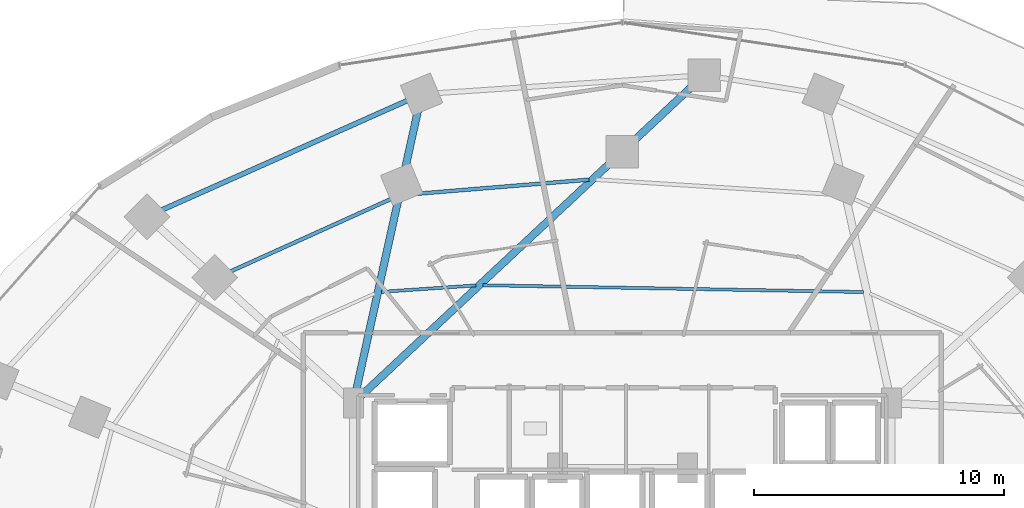
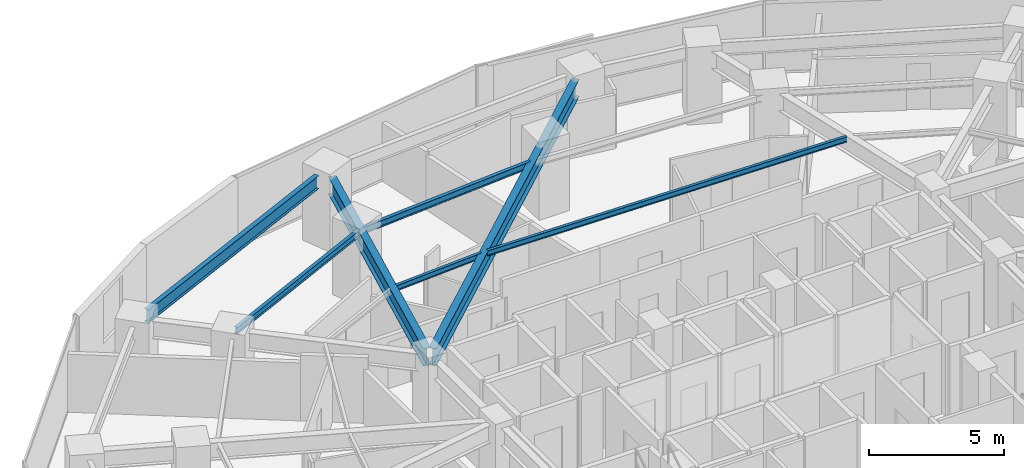
# One storey, part 17 of 30: 7 beams.
"""IFC4 building model written with IfcOpenShell, lengths in metres."""

from ifc_helpers import new_model, si_unit, direction, frame, origin, origin_2d, place, context, subcontext, project, spatial, i_section, extrude, material, material_profile, profile_set, type_object, element, save


model = new_model("IFC4")

# Units and contexts
model_context = context("Model", 3, precision=1e-05, world=origin(), true_north=direction((0.0, 1.0)))
body_context = subcontext(model_context, "Body", "Model", "MODEL_VIEW")
ifc_project = project(units=[si_unit("LENGTHUNIT", "METRE"), si_unit("AREAUNIT", "SQUARE_METRE"), si_unit("VOLUMEUNIT", "CUBIC_METRE"), si_unit("PLANEANGLEUNIT", "RADIAN"), si_unit("MASSUNIT", "GRAM", prefix="KILO")], contexts=[model_context])

# Site, building, storey
site_placement = place(None, origin())
site = spatial("IfcSite", under=ifc_project, at=site_placement, CompositionType="ELEMENT")
building_placement = place(site_placement, origin())
building = spatial("IfcBuilding", under=site, at=building_placement, Name="Vorneva Point Tower", CompositionType="ELEMENT")
storey_placement = place(building_placement, frame((0.0, 0.0, 41.5)))
storey = spatial("IfcBuildingStorey", under=building, at=storey_placement, Name="L10", CompositionType="ELEMENT", Elevation=41.5)

# Beams
ifc_material = material(Name="Steel S355", Category="steel")
ifc_material_profile_1 = material_profile(ifc_material, i_section(OverallWidth=0.300048828125, OverallDepth=0.7880859375, WebThickness=0.014404296875, FlangeThickness=0.02197265625, at=origin_2d()), Name="80Sh1")
ifc_profile_set_1 = profile_set([ifc_material_profile_1], Name="Steel S355")
beam_type_1 = type_object("IfcBeamType", Name="BM-GRD-80Sh1", PredefinedType="USERDEFINED", material=ifc_profile_set_1)
beam_1_placement = place(storey_placement, frame((40.799072265625, 45.81689453125, 2.845947265625), z_axis=(-0.730486513498, -0.682927121732, 0.0), x_axis=(0.682927121732, -0.730486513498, 0.0)))
element("IfcBeam", 1, at=beam_1_placement, inside=storey, type_object=beam_type_1, Name="L10 Radial Primary Girder 05", ObjectType="GIRDER", PredefinedType="USERDEFINED", context=body_context, shape_type="SweptSolid", body=[
    extrude(i_section(OverallWidth=0.300048828125, OverallDepth=0.7880859375, WebThickness=0.014404296875, FlangeThickness=0.02197265625, at=origin_2d()), origin(), (0.0, 0.0, 1.0), 18.2080078125),
])
beam_2_placement = place(storey_placement, frame((29.836181640625, 44.86865234375, 2.845947265625), z_axis=(-0.215504784711, -0.976502784311, 0.0), x_axis=(0.976502784311, -0.215504784711, 0.0)))
element("IfcBeam", 2, at=beam_2_placement, inside=storey, type_object=beam_type_1, Name="L10 Radial Primary Girder 06", ObjectType="GIRDER", PredefinedType="USERDEFINED", context=body_context, shape_type="SweptSolid", body=[
    extrude(i_section(OverallWidth=0.300048828125, OverallDepth=0.7880859375, WebThickness=0.014404296875, FlangeThickness=0.02197265625, at=origin_2d()), origin(), (0.0, 0.0, 1.0), 11.66064453125),
])
ifc_material_profile_2 = material_profile(ifc_material, i_section(OverallWidth=0.1240234375, OverallDepth=0.248046875, WebThickness=0.0048828125, FlangeThickness=0.008056640625, at=origin_2d()), Name="25B1")
ifc_profile_set_2 = profile_set([ifc_material_profile_2], Name="Steel S355")
beam_type_2 = type_object("IfcBeamType", Name="BM-JST-25B1", PredefinedType="JOIST", material=ifc_profile_set_2)
beam_3_placement = place(storey_placement, frame((47.634033203125, 37.58349609375, 3.115966796875), z_axis=(-0.9998392972, 0.017927068204, 0.0), x_axis=(-0.017927068204, -0.9998392972, 0.0)))
element("IfcBeam", 3, at=beam_3_placement, inside=storey, type_object=beam_type_2, Name="L10 Secondary Floor Beam 2.04", PredefinedType="JOIST", context=body_context, shape_type="SweptSolid", body=[
    extrude(i_section(OverallWidth=0.1240234375, OverallDepth=0.248046875, WebThickness=0.0048828125, FlangeThickness=0.008056640625, at=origin_2d()), origin(), (0.0, 0.0, 1.0), 15.2119140625),
])
beam_4_placement = place(storey_placement, frame((32.14892578125, 37.84912109375, 3.115966796875), z_axis=(-0.997672955363, -0.068181186095, 0.0), x_axis=(0.068181186095, -0.997672955363, 0.0)))
element("IfcBeam", 4, at=beam_4_placement, inside=storey, type_object=beam_type_2, Name="L10 Secondary Floor Beam 2.05", PredefinedType="JOIST", context=body_context, shape_type="SweptSolid", body=[
    extrude(i_section(OverallWidth=0.1240234375, OverallDepth=0.248046875, WebThickness=0.0048828125, FlangeThickness=0.008056640625, at=origin_2d()), origin(), (0.0, 0.0, 1.0), 3.7919921875),
])
ifc_material_profile_3 = material_profile(ifc_material, i_section(OverallWidth=0.14892578125, OverallDepth=0.298095703125, WebThickness=0.005615234375, FlangeThickness=0.008056640625, at=origin_2d()), Name="30B1")
ifc_profile_set_3 = profile_set([ifc_material_profile_3], Name="Steel S355")
beam_type_3 = type_object("IfcBeamType", Name="BM-JST-30B1", PredefinedType="JOIST", material=ifc_profile_set_3)
beam_5_placement = place(storey_placement, frame((36.67138671875, 42.0751953125, 3.091064453125), z_axis=(-0.996651460041, -0.081767152319, 0.0), x_axis=(0.081767152319, -0.996651460041, 0.0)))
element("IfcBeam", 5, at=beam_5_placement, inside=storey, type_object=beam_type_3, Name="L10 Secondary Floor Beam 1.05", PredefinedType="JOIST", context=body_context, shape_type="SweptSolid", body=[
    extrude(i_section(OverallWidth=0.14892578125, OverallDepth=0.298095703125, WebThickness=0.005615234375, FlangeThickness=0.008056640625, at=origin_2d()), origin(), (0.0, 0.0, 1.0), 7.4765625),
])
beam_6_placement = place(storey_placement, frame((28.95654296875, 41.395751953125, 3.091064453125), z_axis=(-0.911396391121, -0.411529607988, 0.0), x_axis=(0.411529607988, -0.911396391121, 0.0)))
element("IfcBeam", 6, at=beam_6_placement, inside=storey, type_object=beam_type_3, Name="L10 Secondary Floor Beam 1.06", PredefinedType="JOIST", context=body_context, shape_type="SweptSolid", body=[
    extrude(i_section(OverallWidth=0.14892578125, OverallDepth=0.298095703125, WebThickness=0.005615234375, FlangeThickness=0.008056640625, at=origin_2d()), origin(), (0.0, 0.0, 1.0), 7.7880859375),
])
ifc_material_profile_4 = material_profile(ifc_material, i_section(OverallWidth=0.198974609375, OverallDepth=0.595947265625, WebThickness=0.010009765625, FlangeThickness=0.014892578125, at=origin_2d()), Name="60B1")
ifc_profile_set_4 = profile_set([ifc_material_profile_4], Name="Steel S355")
beam_type_4 = type_object("IfcBeamType", Name="BM-SPN-60B1", PredefinedType="SPANDREL", material=ifc_profile_set_4)
beam_7_placement = place(storey_placement, frame((29.393798828125, 45.23291015625, 2.94189453125), z_axis=(-0.913329187558, -0.407222046499, 0.0), x_axis=(0.407222046499, -0.913329187558, 0.0)))
element("IfcBeam", 7, at=beam_7_placement, inside=storey, type_object=beam_type_4, Name="L10 Perimeter Spandrel Ring Beam 06", PredefinedType="SPANDREL", context=body_context, shape_type="SweptSolid", body=[
    extrude(i_section(OverallWidth=0.198974609375, OverallDepth=0.595947265625, WebThickness=0.010009765625, FlangeThickness=0.014892578125, at=origin_2d()), origin(), (0.0, 0.0, 1.0), 10.742431640625),
])

save(model, "model.ifc")
